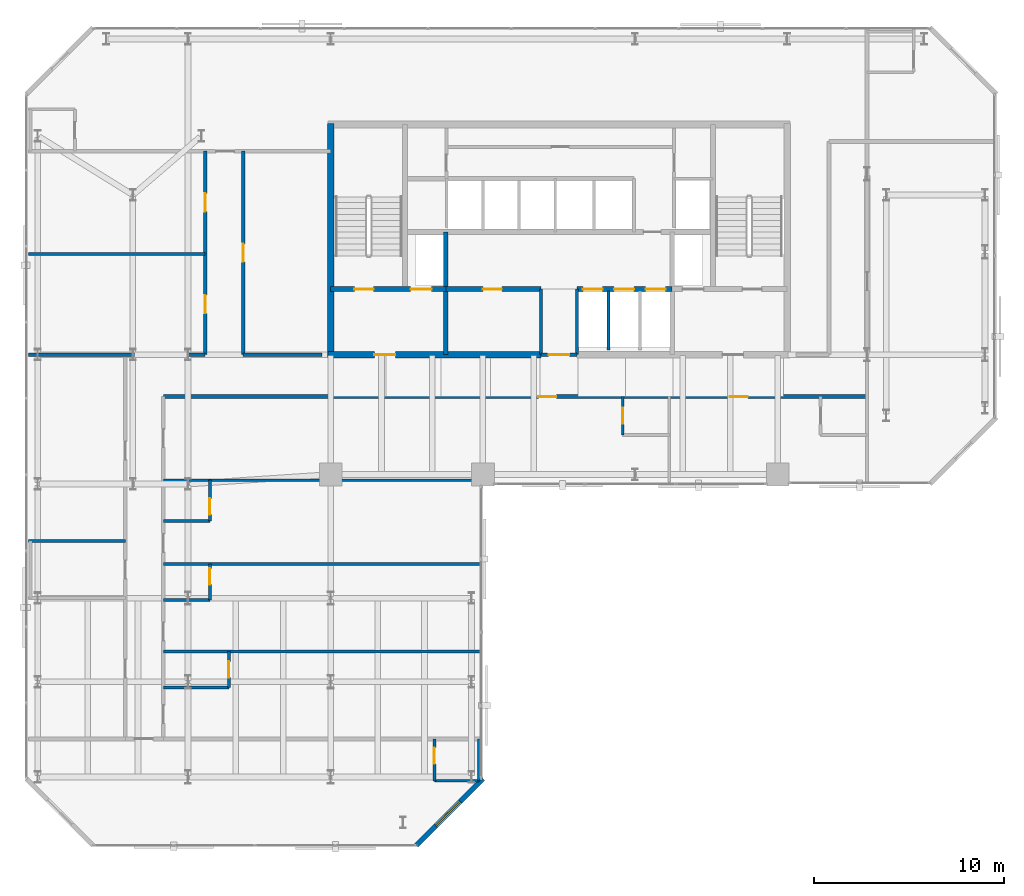
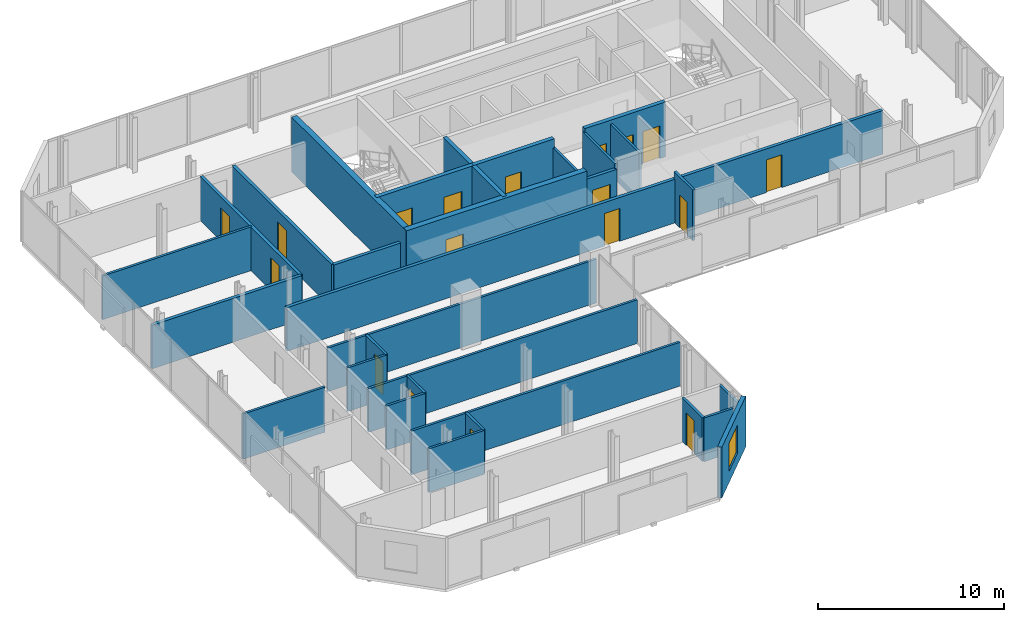
# One storey, part 28 of 32: 31 walls, 18 doors, 1 window, 19 openings.
"""IFC4 building model written with IfcOpenShell, lengths in metres."""

from ifc_helpers import new_model, si_unit, direction, frame, frame_2d, origin, place, context, subcontext, project, spatial, rectangle, extrude, material, layer, layer_set, type_object, element, fill, save


model = new_model("IFC4")

# Units and contexts
model_context = context("Model", 3, precision=1e-05, world=origin(), true_north=direction((0.0, 1.0)))
body_context = subcontext(model_context, "Body", "Model", "MODEL_VIEW")
ifc_project = project(units=[si_unit("LENGTHUNIT", "METRE"), si_unit("AREAUNIT", "SQUARE_METRE"), si_unit("VOLUMEUNIT", "CUBIC_METRE"), si_unit("PLANEANGLEUNIT", "RADIAN"), si_unit("MASSUNIT", "GRAM", prefix="KILO")], contexts=[model_context])

# Site, building, storey
site_placement = place(None, origin())
site = spatial("IfcSite", under=ifc_project, at=site_placement, CompositionType="ELEMENT")
building_placement = place(site_placement, origin())
building = spatial("IfcBuilding", under=site, at=building_placement, Name="Catumbela Crestline Tower", CompositionType="ELEMENT")
storey_placement = place(building_placement, frame((0.0, 0.0, 122.4)))
storey = spatial("IfcBuildingStorey", under=building, at=storey_placement, Name="L31", CompositionType="ELEMENT", Elevation=122.4)

# Wall
ifc_material_1 = material(Name="Concrete C50/60", Category="concrete")
ifc_layer_1 = layer(ifc_material_1, 0.25, Name="Concrete C50/60")
ifc_layer_set_1 = layer_set([ifc_layer_1], Name="Concrete C50/60")
wall_type_1 = type_object("IfcWallType", Name="CW-250D", PredefinedType="SHEAR", material=ifc_layer_set_1)
wall_1_placement = place(storey_placement, frame((22.05, 30.8, 0.0), z_axis=(0.0, 0.0, 1.0), x_axis=(0.0, 1.0, 0.0)))
element("IfcWall", 1, at=wall_1_placement, inside=storey, type_object=wall_type_1, Name="L31 Structural Core Shear Wall FFW", PredefinedType="SHEAR", context=body_context, shape_type="SweptSolid", body=[
    extrude(rectangle(XDim=6.45, YDim=0.25, at=frame_2d((3.225, 0.0))), origin(), (0.0, 0.0, 1.0), 3.6),
])

# Wall, openings, doors
wall_2_placement = place(storey_placement, frame((16.0, 34.25, 0.0), z_axis=(0.0, 0.0, 1.0), x_axis=(1.0, 0.0, 0.0)))
wall_2 = element("IfcWall", 2, at=wall_2_placement, inside=storey, type_object=wall_type_1, Name="L31 Structural Core Shear Wall ST1S", PredefinedType="SHEAR", context=body_context, shape_type="SweptSolid", body=[
    extrude(rectangle(XDim=6.05, YDim=0.25, at=frame_2d((3.025, 0.0))), origin(), (0.0, 0.0, 1.0), 3.6),
])
opening_1_placement = place(wall_2_placement, frame((1.25, 0.0, 0.0)))
opening_1 = element("IfcOpeningElement", 3, at=opening_1_placement, cuts=wall_2, Name="Opening DF9-100", PredefinedType="OPENING", context=body_context, shape_type="SweptSolid", body=[
    extrude(rectangle(XDim=1.0, YDim=2.15, at=frame_2d((0.5, 1.075))), frame((0.0, 0.135, 0.0), z_axis=(0.0, -1.0, 0.0), x_axis=(1.0, 0.0, 0.0)), (0.0, 0.0, 1.0), 0.27),
])
opening_2_placement = place(wall_2_placement, frame((4.2, 0.0, 0.0)))
opening_2 = element("IfcOpeningElement", 4, at=opening_2_placement, cuts=wall_2, Name="Opening LD-110", PredefinedType="OPENING", context=body_context, shape_type="SweptSolid", body=[
    extrude(rectangle(XDim=1.1, YDim=2.15, at=frame_2d((0.55, 1.075))), frame((0.0, 0.135, 0.0), z_axis=(0.0, -1.0, 0.0), x_axis=(1.0, 0.0, 0.0)), (0.0, 0.0, 1.0), 0.27),
])
ifc_material_2 = material(Name="Stainless steel EN 1.4401", Category="steel")
door_type_1 = type_object("IfcDoorType", Name="DF9-100", OperationType="NOTDEFINED", PredefinedType="DOOR", material=ifc_material_2)
door_1_placement = place(opening_1_placement, origin())
door_1 = element("IfcDoor", 5, at=door_1_placement, inside=storey, type_object=door_type_1, Name="L31 Interior Door DR-L31-ST01", OperationType="SINGLE_SWING_LEFT", OverallHeight=2.15, OverallWidth=1.0, PredefinedType="DOOR", context=body_context, shape_type="SweptSolid", body=[
    extrude(rectangle(XDim=1.0, YDim=2.15, at=frame_2d((0.5, 1.075))), frame((0.0, 0.025, 0.0), z_axis=(0.0, -1.0, 0.0), x_axis=(1.0, 0.0, 0.0)), (0.0, 0.0, 1.0), 0.05),
])
fill(opening_1, door_1)
door_type_2 = type_object("IfcDoorType", Name="LD-110", OperationType="NOTDEFINED", PredefinedType="DOOR", material=ifc_material_2)
door_2_placement = place(opening_2_placement, origin())
door_2 = element("IfcDoor", 6, at=door_2_placement, inside=storey, type_object=door_type_2, Name="L31 Lift Landing Sliding Door FL-01", OperationType="DOUBLE_DOOR_SLIDING", OverallHeight=2.15, OverallWidth=1.1, PredefinedType="DOOR", context=body_context, shape_type="SweptSolid", body=[
    extrude(rectangle(XDim=1.1, YDim=2.15, at=frame_2d((0.55, 1.075))), frame((0.0, 0.025, 0.0), z_axis=(0.0, -1.0, 0.0), x_axis=(1.0, 0.0, 0.0)), (0.0, 0.0, 1.0), 0.05),
])
fill(opening_2, door_2)

# Wall, opening, door
wall_3_placement = place(storey_placement, frame((22.05, 34.25, 0.0), z_axis=(0.0, 0.0, 1.0), x_axis=(1.0, 0.0, 0.0)))
wall_3 = element("IfcWall", 7, at=wall_3_placement, inside=storey, type_object=wall_type_1, Name="L31 Structural Core Shear Wall LIFTS-W", PredefinedType="SHEAR", context=body_context, shape_type="SweptSolid", body=[
    extrude(rectangle(XDim=5.0, YDim=0.25, at=frame_2d((2.5, 0.0))), origin(), (0.0, 0.0, 1.0), 3.6),
])
opening_3_placement = place(wall_3_placement, frame((1.95, 0.0, 0.0)))
opening_3 = element("IfcOpeningElement", 8, at=opening_3_placement, cuts=wall_3, Name="Opening DF9-100", PredefinedType="OPENING", context=body_context, shape_type="SweptSolid", body=[
    extrude(rectangle(XDim=1.0, YDim=2.15, at=frame_2d((0.5, 1.075))), frame((0.0, 0.135, 0.0), z_axis=(0.0, -1.0, 0.0), x_axis=(1.0, 0.0, 0.0)), (0.0, 0.0, 1.0), 0.27),
])
door_3_placement = place(opening_3_placement, origin())
door_3 = element("IfcDoor", 9, at=door_3_placement, inside=storey, type_object=door_type_1, Name="L31 Interior Door DR-L31-RECL1", OperationType="SINGLE_SWING_LEFT", OverallHeight=2.15, OverallWidth=1.0, PredefinedType="DOOR", context=body_context, shape_type="SweptSolid", body=[
    extrude(rectangle(XDim=1.0, YDim=2.15, at=frame_2d((0.5, 1.075))), frame((0.0, 0.025, 0.0), z_axis=(0.0, -1.0, 0.0), x_axis=(1.0, 0.0, 0.0)), (0.0, 0.0, 1.0), 0.05),
])
fill(opening_3, door_3)

# Wall, openings, doors
wall_4_placement = place(storey_placement, frame((28.95, 34.25, 0.0), z_axis=(0.0, 0.0, 1.0), x_axis=(1.0, 0.0, 0.0)))
wall_4 = element("IfcWall", 10, at=wall_4_placement, inside=storey, type_object=wall_type_1, Name="L31 Structural Core Shear Wall LIFTS-E", PredefinedType="SHEAR", context=body_context, shape_type="SweptSolid", body=[
    extrude(rectangle(XDim=5.0, YDim=0.25, at=frame_2d((2.5, 0.0))), origin(), (0.0, 0.0, 1.0), 3.6),
])
opening_4_placement = place(wall_4_placement, frame((0.3, 0.0, 0.0)))
opening_4 = element("IfcOpeningElement", 11, at=opening_4_placement, cuts=wall_4, Name="Opening LD-105", PredefinedType="OPENING", context=body_context, shape_type="SweptSolid", body=[
    extrude(rectangle(XDim=1.05, YDim=2.15, at=frame_2d((0.525, 1.075))), frame((0.0, 0.135, 0.0), z_axis=(0.0, -1.0, 0.0), x_axis=(1.0, 0.0, 0.0)), (0.0, 0.0, 1.0), 0.27),
])
opening_5_placement = place(wall_4_placement, frame((1.95, 0.0, 0.0)))
opening_5 = element("IfcOpeningElement", 12, at=opening_5_placement, cuts=wall_4, Name="Opening LD-105", PredefinedType="OPENING", context=body_context, shape_type="SweptSolid", body=[
    extrude(rectangle(XDim=1.05, YDim=2.15, at=frame_2d((0.525, 1.075))), frame((0.0, 0.135, 0.0), z_axis=(0.0, -1.0, 0.0), x_axis=(1.0, 0.0, 0.0)), (0.0, 0.0, 1.0), 0.27),
])
opening_6_placement = place(wall_4_placement, frame((3.6, 0.0, 0.0)))
opening_6 = element("IfcOpeningElement", 13, at=opening_6_placement, cuts=wall_4, Name="Opening LD-105", PredefinedType="OPENING", context=body_context, shape_type="SweptSolid", body=[
    extrude(rectangle(XDim=1.05, YDim=2.15, at=frame_2d((0.525, 1.075))), frame((0.0, 0.135, 0.0), z_axis=(0.0, -1.0, 0.0), x_axis=(1.0, 0.0, 0.0)), (0.0, 0.0, 1.0), 0.27),
])
door_type_3 = type_object("IfcDoorType", Name="LD-105", OperationType="NOTDEFINED", PredefinedType="DOOR", material=ifc_material_2)
door_4_placement = place(opening_4_placement, origin())
door_4 = element("IfcDoor", 14, at=door_4_placement, inside=storey, type_object=door_type_3, Name="L31 Lift Landing Sliding Door PL-M1", OperationType="DOUBLE_DOOR_SLIDING", OverallHeight=2.15, OverallWidth=1.05, PredefinedType="DOOR", context=body_context, shape_type="SweptSolid", body=[
    extrude(rectangle(XDim=1.05, YDim=2.15, at=frame_2d((0.525, 1.075))), frame((0.0, 0.025, 0.0), z_axis=(0.0, -1.0, 0.0), x_axis=(1.0, 0.0, 0.0)), (0.0, 0.0, 1.0), 0.05),
])
fill(opening_4, door_4)
door_5_placement = place(opening_5_placement, origin())
door_5 = element("IfcDoor", 15, at=door_5_placement, inside=storey, type_object=door_type_3, Name="L31 Lift Landing Sliding Door PL-M2", OperationType="DOUBLE_DOOR_SLIDING", OverallHeight=2.15, OverallWidth=1.05, PredefinedType="DOOR", context=body_context, shape_type="SweptSolid", body=[
    extrude(rectangle(XDim=1.05, YDim=2.15, at=frame_2d((0.525, 1.075))), frame((0.0, 0.025, 0.0), z_axis=(0.0, -1.0, 0.0), x_axis=(1.0, 0.0, 0.0)), (0.0, 0.0, 1.0), 0.05),
])
fill(opening_5, door_5)
door_6_placement = place(opening_6_placement, origin())
door_6 = element("IfcDoor", 16, at=door_6_placement, inside=storey, type_object=door_type_3, Name="L31 Lift Landing Sliding Door PL-M3", OperationType="DOUBLE_DOOR_SLIDING", OverallHeight=2.15, OverallWidth=1.05, PredefinedType="DOOR", context=body_context, shape_type="SweptSolid", body=[
    extrude(rectangle(XDim=1.05, YDim=2.15, at=frame_2d((0.525, 1.075))), frame((0.0, 0.025, 0.0), z_axis=(0.0, -1.0, 0.0), x_axis=(1.0, 0.0, 0.0)), (0.0, 0.0, 1.0), 0.05),
])
fill(opening_6, door_6)

# Wall
ifc_layer_2 = layer(ifc_material_1, 0.35, Name="Concrete C50/60")
ifc_layer_set_2 = layer_set([ifc_layer_2], Name="Concrete C50/60")
wall_type_2 = type_object("IfcWallType", Name="CW-350B", PredefinedType="SHEAR", material=ifc_layer_set_2)
wall_5_placement = place(storey_placement, frame((16.0, 30.65, 0.0), z_axis=(0.0, 0.0, 1.0), x_axis=(0.0, 1.0, 0.0)))
element("IfcWall", 17, at=wall_5_placement, inside=storey, type_object=wall_type_2, Name="L31 Structural Core Shear Wall W", PredefinedType="SHEAR", context=body_context, shape_type="SweptSolid", body=[
    extrude(rectangle(XDim=12.3, YDim=0.35, at=frame_2d((6.15, 0.0))), origin(), (0.0, 0.0, 1.0), 3.6),
])

# Wall, opening, door
wall_6_placement = place(storey_placement, frame((15.85, 30.8, 0.0), z_axis=(0.0, 0.0, 1.0), x_axis=(1.0, 0.0, 0.0)))
wall_6 = element("IfcWall", 18, at=wall_6_placement, inside=storey, type_object=wall_type_2, Name="L31 Structural Core Shear Wall SW", PredefinedType="SHEAR", context=body_context, shape_type="SweptSolid", body=[
    extrude(rectangle(XDim=11.2, YDim=0.35, at=frame_2d((5.6, 0.0))), origin(), (0.0, 0.0, 1.0), 3.6),
])
opening_7_placement = place(wall_6_placement, frame((2.45, 0.0, 0.0)))
opening_7 = element("IfcOpeningElement", 19, at=opening_7_placement, cuts=wall_6, Name="Opening DF9-110", PredefinedType="OPENING", context=body_context, shape_type="SweptSolid", body=[
    extrude(rectangle(XDim=1.1, YDim=2.15, at=frame_2d((0.55, 1.075))), frame((0.0, 0.185, 0.0), z_axis=(0.0, -1.0, 0.0), x_axis=(1.0, 0.0, 0.0)), (0.0, 0.0, 1.0), 0.37),
])
door_type_4 = type_object("IfcDoorType", Name="DF9-110", OperationType="NOTDEFINED", PredefinedType="DOOR", material=ifc_material_2)
door_7_placement = place(opening_7_placement, origin())
door_7 = element("IfcDoor", 20, at=door_7_placement, inside=storey, type_object=door_type_4, Name="L31 Interior Door DR-L31-FFW-S", OperationType="SINGLE_SWING_LEFT", OverallHeight=2.15, OverallWidth=1.1, PredefinedType="DOOR", context=body_context, shape_type="SweptSolid", body=[
    extrude(rectangle(XDim=1.1, YDim=2.15, at=frame_2d((0.55, 1.075))), frame((0.0, 0.025, 0.0), z_axis=(0.0, -1.0, 0.0), x_axis=(1.0, 0.0, 0.0)), (0.0, 0.0, 1.0), 0.05),
])
fill(opening_7, door_7)

ifc_material_3 = material(Name="Acoustic gypsum and mineral-wool partition")
ifc_layer_3 = layer(ifc_material_3, 0.2, Name="Acoustic gypsum and mineral-wool partition")
ifc_layer_set_3 = layer_set([ifc_layer_3], Name="Acoustic gypsum and mineral-wool partition")
wall_type_3 = type_object("IfcWallType", Name="WC-200", PredefinedType="PARTITIONING", material=ifc_layer_set_3)
wall_7_placement = place(storey_placement, frame((27.05, 30.8, 0.0), z_axis=(0.0, 0.0, 1.0), x_axis=(1.0, 0.0, 0.0)))
wall_7 = element("IfcWall", 21, at=wall_7_placement, inside=storey, type_object=wall_type_3, Name="L31 Interior Partition PW-L31-CLOBS", PredefinedType="PARTITIONING", context=body_context, shape_type="SweptSolid", body=[
    extrude(rectangle(XDim=1.9, YDim=0.2, at=frame_2d((0.95, 0.0))), origin(), (0.0, 0.0, 1.0), 3.01),
])
opening_8_placement = place(wall_7_placement, frame((0.4, 0.0, 0.0)))
opening_8 = element("IfcOpeningElement", 22, at=opening_8_placement, cuts=wall_7, Name="Opening DF9-110", PredefinedType="OPENING", context=body_context, shape_type="SweptSolid", body=[
    extrude(rectangle(XDim=1.1, YDim=2.15, at=frame_2d((0.55, 1.075))), frame((0.0, 0.11, 0.0), z_axis=(0.0, -1.0, 0.0), x_axis=(1.0, 0.0, 0.0)), (0.0, 0.0, 1.0), 0.22),
])
door_8_placement = place(opening_8_placement, origin())
door_8 = element("IfcDoor", 23, at=door_8_placement, inside=storey, type_object=door_type_4, Name="L31 Interior Door DR-L31-CLOBS", OperationType="SINGLE_SWING_LEFT", OverallHeight=2.15, OverallWidth=1.1, PredefinedType="DOOR", context=body_context, shape_type="SweptSolid", body=[
    extrude(rectangle(XDim=1.1, YDim=2.15, at=frame_2d((0.55, 1.075))), frame((0.0, 0.025, 0.0), z_axis=(0.0, -1.0, 0.0), x_axis=(1.0, 0.0, 0.0)), (0.0, 0.0, 1.0), 0.05),
])
fill(opening_8, door_8)

# Wall
wall_8_placement = place(storey_placement, frame((0.1, 30.8, 0.0), z_axis=(0.0, 0.0, 1.0), x_axis=(1.0, 0.0, 0.0)))
element("IfcWall", 24, at=wall_8_placement, inside=storey, type_object=wall_type_3, Name="L31 Interior Partition PW-L31-Z2CW-N0", PredefinedType="PARTITIONING", context=body_context, shape_type="SweptSolid", body=[
    extrude(rectangle(XDim=9.3, YDim=0.2, at=frame_2d((4.65, 0.0))), origin(), (0.0, 0.0, 1.0), 2.87),
])

# Wall, openings, doors
wall_9_placement = place(storey_placement, frame((7.2, 28.6, 0.0), z_axis=(0.0, 0.0, 1.0), x_axis=(1.0, 0.0, 0.0)))
wall_9 = element("IfcWall", 25, at=wall_9_placement, inside=storey, type_object=wall_type_3, Name="L31 Interior Partition PW-L31-Z2CW-N2", PredefinedType="PARTITIONING", context=body_context, shape_type="SweptSolid", body=[
    extrude(rectangle(XDim=37.0, YDim=0.2, at=frame_2d((18.5, 0.0))), origin(), (0.0, 0.0, 1.0), 2.87),
])
opening_9_placement = place(wall_9_placement, frame((19.71, 0.0, 0.0)))
opening_9 = element("IfcOpeningElement", 26, at=opening_9_placement, cuts=wall_9, Name="Opening DF6-095", PredefinedType="OPENING", context=body_context, shape_type="SweptSolid", body=[
    extrude(rectangle(XDim=0.95, YDim=2.15, at=frame_2d((0.475, 1.075))), frame((0.0, 0.11, 0.0), z_axis=(0.0, -1.0, 0.0), x_axis=(1.0, 0.0, 0.0)), (0.0, 0.0, 1.0), 0.22),
])
opening_10_placement = place(wall_9_placement, frame((29.78, 0.0, 0.0)))
opening_10 = element("IfcOpeningElement", 27, at=opening_10_placement, cuts=wall_9, Name="Opening DF6-095", PredefinedType="OPENING", context=body_context, shape_type="SweptSolid", body=[
    extrude(rectangle(XDim=0.95, YDim=2.15, at=frame_2d((0.475, 1.075))), frame((0.0, 0.11, 0.0), z_axis=(0.0, -1.0, 0.0), x_axis=(1.0, 0.0, 0.0)), (0.0, 0.0, 1.0), 0.22),
])
ifc_material_4 = material(Name="Aluminium alloy AW-6060-T66", Category="aluminium")
door_type_5 = type_object("IfcDoorType", Name="DF6-095", OperationType="NOTDEFINED", PredefinedType="DOOR", material=ifc_material_4)
door_9_placement = place(opening_9_placement, origin())
door_9 = element("IfcDoor", 28, at=door_9_placement, inside=storey, type_object=door_type_5, Name="L31 Interior Door DR-L31-SS1-ENT", OperationType="SINGLE_SWING_RIGHT", OverallHeight=2.15, OverallWidth=0.95, PredefinedType="DOOR", context=body_context, shape_type="SweptSolid", body=[
    extrude(rectangle(XDim=0.95, YDim=2.15, at=frame_2d((0.475, 1.075))), frame((0.0, 0.025, 0.0), z_axis=(0.0, -1.0, 0.0), x_axis=(1.0, 0.0, 0.0)), (0.0, 0.0, 1.0), 0.05),
])
fill(opening_9, door_9)
door_10_placement = place(opening_10_placement, origin())
door_10 = element("IfcDoor", 29, at=door_10_placement, inside=storey, type_object=door_type_5, Name="L31 Interior Door DR-L31-SS2-ENT", OperationType="SINGLE_SWING_LEFT", OverallHeight=2.15, OverallWidth=0.95, PredefinedType="DOOR", context=body_context, shape_type="SweptSolid", body=[
    extrude(rectangle(XDim=0.95, YDim=2.15, at=frame_2d((0.475, 1.075))), frame((0.0, 0.025, 0.0), z_axis=(0.0, -1.0, 0.0), x_axis=(1.0, 0.0, 0.0)), (0.0, 0.0, 1.0), 0.05),
])
fill(opening_10, door_10)

# Wall
wall_10_placement = place(storey_placement, frame((11.4, 30.8, 0.0), z_axis=(0.0, 0.0, 1.0), x_axis=(1.0, 0.0, 0.0)))
element("IfcWall", 30, at=wall_10_placement, inside=storey, type_object=wall_type_3, Name="L31 Interior Partition PW-L31-Z2CW-N3", PredefinedType="PARTITIONING", context=body_context, shape_type="SweptSolid", body=[
    extrude(rectangle(XDim=4.13, YDim=0.2, at=frame_2d((2.065, 0.0))), origin(), (0.0, 0.0, 1.0), 2.87),
])

# Wall, openings, doors
wall_11_placement = place(storey_placement, frame((9.4, 30.8, 0.0), z_axis=(0.0, 0.0, 1.0), x_axis=(0.0, 1.0, 0.0)))
wall_11 = element("IfcWall", 31, at=wall_11_placement, inside=storey, type_object=wall_type_3, Name="L31 Interior Partition PW-L31-Z2TR1-ENT", PredefinedType="PARTITIONING", context=body_context, shape_type="SweptSolid", body=[
    extrude(rectangle(XDim=10.7, YDim=0.2, at=frame_2d((5.35, 0.0))), origin(), (0.0, 0.0, 1.0), 2.87),
])
opening_11_placement = place(wall_11_placement, frame((2.175, 0.0, 0.0)))
opening_11 = element("IfcOpeningElement", 32, at=opening_11_placement, cuts=wall_11, Name="Opening DF6-095", PredefinedType="OPENING", context=body_context, shape_type="SweptSolid", body=[
    extrude(rectangle(XDim=0.95, YDim=2.15, at=frame_2d((0.475, 1.075))), frame((0.0, 0.11, 0.0), z_axis=(0.0, -1.0, 0.0), x_axis=(1.0, 0.0, 0.0)), (0.0, 0.0, 1.0), 0.22),
])
opening_12_placement = place(wall_11_placement, frame((7.525, 0.0, 0.0)))
opening_12 = element("IfcOpeningElement", 33, at=opening_12_placement, cuts=wall_11, Name="Opening DF6-095", PredefinedType="OPENING", context=body_context, shape_type="SweptSolid", body=[
    extrude(rectangle(XDim=0.95, YDim=2.15, at=frame_2d((0.475, 1.075))), frame((0.0, 0.11, 0.0), z_axis=(0.0, -1.0, 0.0), x_axis=(1.0, 0.0, 0.0)), (0.0, 0.0, 1.0), 0.22),
])
door_11_placement = place(opening_11_placement, origin())
door_11 = element("IfcDoor", 34, at=door_11_placement, inside=storey, type_object=door_type_5, Name="L31 Interior Door DR-L31-Z2TR1-ENT", OperationType="SINGLE_SWING_RIGHT", OverallHeight=2.15, OverallWidth=0.95, PredefinedType="DOOR", context=body_context, shape_type="SweptSolid", body=[
    extrude(rectangle(XDim=0.95, YDim=2.15, at=frame_2d((0.475, 1.075))), frame((0.0, 0.025, 0.0), z_axis=(0.0, -1.0, 0.0), x_axis=(1.0, 0.0, 0.0)), (0.0, 0.0, 1.0), 0.05),
])
fill(opening_11, door_11)
door_12_placement = place(opening_12_placement, origin())
door_12 = element("IfcDoor", 35, at=door_12_placement, inside=storey, type_object=door_type_5, Name="L31 Interior Door DR-L31-Z2TR2-ENT", OperationType="SINGLE_SWING_LEFT", OverallHeight=2.15, OverallWidth=0.95, PredefinedType="DOOR", context=body_context, shape_type="SweptSolid", body=[
    extrude(rectangle(XDim=0.95, YDim=2.15, at=frame_2d((0.475, 1.075))), frame((0.0, 0.025, 0.0), z_axis=(0.0, -1.0, 0.0), x_axis=(1.0, 0.0, 0.0)), (0.0, 0.0, 1.0), 0.05),
])
fill(opening_12, door_12)

# Wall, opening, door
wall_12_placement = place(storey_placement, frame((11.4, 30.8, 0.0), z_axis=(0.0, 0.0, 1.0), x_axis=(0.0, 1.0, 0.0)))
wall_12 = element("IfcWall", 36, at=wall_12_placement, inside=storey, type_object=wall_type_3, Name="L31 Interior Partition PW-L31-Z2YOG-ENT", PredefinedType="PARTITIONING", context=body_context, shape_type="SweptSolid", body=[
    extrude(rectangle(XDim=10.7, YDim=0.2, at=frame_2d((5.35, 0.0))), origin(), (0.0, 0.0, 1.0), 2.87),
])
opening_13_placement = place(wall_12_placement, frame((4.875, 0.0, 0.0)))
opening_13 = element("IfcOpeningElement", 37, at=opening_13_placement, cuts=wall_12, Name="Opening DF6-095", PredefinedType="OPENING", context=body_context, shape_type="SweptSolid", body=[
    extrude(rectangle(XDim=0.95, YDim=2.15, at=frame_2d((0.475, 1.075))), frame((0.0, 0.11, 0.0), z_axis=(0.0, -1.0, 0.0), x_axis=(1.0, 0.0, 0.0)), (0.0, 0.0, 1.0), 0.22),
])
door_13_placement = place(opening_13_placement, origin())
door_13 = element("IfcDoor", 38, at=door_13_placement, inside=storey, type_object=door_type_5, Name="L31 Interior Door DR-L31-Z2YOG-ENT", OperationType="SINGLE_SWING_RIGHT", OverallHeight=2.15, OverallWidth=0.95, PredefinedType="DOOR", context=body_context, shape_type="SweptSolid", body=[
    extrude(rectangle(XDim=0.95, YDim=2.15, at=frame_2d((0.475, 1.075))), frame((0.0, 0.025, 0.0), z_axis=(0.0, -1.0, 0.0), x_axis=(1.0, 0.0, 0.0)), (0.0, 0.0, 1.0), 0.05),
])
fill(opening_13, door_13)

# Wall, opening, window
ifc_material_5 = material(Name="Angolan grey-ochre granite", Category="masonry")
ifc_layer_4 = layer(ifc_material_5, 0.25, Name="Angolan grey-ochre granite")
ifc_layer_set_4 = layer_set([ifc_layer_4], Name="Angolan grey-ochre granite")
wall_type_4 = type_object("IfcWallType", Name="WE-250", PredefinedType="STANDARD", material=ifc_layer_set_4)
wall_13_placement = place(storey_placement, frame((20.5, 5.0, 0.0), z_axis=(0.0, 0.0, 1.0), x_axis=(0.707106781187, 0.707106781187, 0.0)))
wall_13 = element("IfcWall", 39, at=wall_13_placement, inside=storey, type_object=wall_type_4, Name="L31 Granite Punched Window Wall 1-1", PredefinedType="STANDARD", context=body_context, shape_type="SweptSolid", body=[
    extrude(rectangle(XDim=4.9497, YDim=0.25, at=frame_2d((2.4748, 0.0))), origin(), (0.0, 0.0, 1.0), 3.33),
])
opening_14_placement = place(wall_13_placement, frame((1.4647, 0.0, 0.75)))
opening_14 = element("IfcOpeningElement", 40, at=opening_14_placement, cuts=wall_13, Name="Opening WN-01", PredefinedType="OPENING", context=body_context, shape_type="SweptSolid", body=[
    extrude(rectangle(XDim=1.8, YDim=1.85, at=frame_2d((0.9, 0.925))), frame((0.0, 0.135, 0.0), z_axis=(0.0, -1.0, 0.0), x_axis=(1.0, 0.0, 0.0)), (0.0, 0.0, 1.0), 0.27),
])
ifc_material_6 = material(Name="Low-E laminated solar-control double glazing", Category="glass")
window_type = type_object("IfcWindowType", Name="WF-1800", PartitioningType="SINGLE_PANEL", PredefinedType="WINDOW", material=ifc_material_6)
window_placement = place(opening_14_placement, origin())
window = element("IfcWindow", 41, at=window_placement, inside=storey, type_object=window_type, Name="L31 Facade Vision Window 175", OverallHeight=1.85, OverallWidth=1.8, PartitioningType="SINGLE_PANEL", PredefinedType="WINDOW", context=body_context, shape_type="SweptSolid", body=[
    extrude(rectangle(XDim=1.8, YDim=1.85, at=frame_2d((0.9, 0.925))), frame((0.0, 0.03, 0.0), z_axis=(0.0, -1.0, 0.0), x_axis=(1.0, 0.0, 0.0)), (0.0, 0.0, 1.0), 0.06),
])
fill(opening_14, window)

# Walls
ifc_layer_5 = layer(ifc_material_3, 0.15, Name="Acoustic gypsum and mineral-wool partition")
ifc_layer_set_5 = layer_set([ifc_layer_5], Name="Acoustic gypsum and mineral-wool partition")
wall_type_5 = type_object("IfcWallType", Name="WP-150", PredefinedType="PARTITIONING", material=ifc_layer_set_5)
wall_14_placement = place(storey_placement, frame((0.1, 21.0, 0.0), z_axis=(0.0, 0.0, 1.0), x_axis=(1.0, 0.0, 0.0)))
element("IfcWall", 42, at=wall_14_placement, inside=storey, type_object=wall_type_5, Name="L31 Interior Partition PW-L31-Z2W-2", PredefinedType="PARTITIONING", context=body_context, shape_type="SweptSolid", body=[
    extrude(rectangle(XDim=5.1, YDim=0.15, at=frame_2d((2.55, 0.0))), origin(), (0.0, 0.0, 1.0), 2.96),
])
wall_15_placement = place(storey_placement, frame((0.1, 36.1, 0.0), z_axis=(0.0, 0.0, 1.0), x_axis=(1.0, 0.0, 0.0)))
element("IfcWall", 43, at=wall_15_placement, inside=storey, type_object=wall_type_5, Name="L31 Interior Partition PW-L31-Z2G3-1", PredefinedType="PARTITIONING", context=body_context, shape_type="SweptSolid", body=[
    extrude(rectangle(XDim=9.3, YDim=0.15, at=frame_2d((4.65, 0.0))), origin(), (0.0, 0.0, 1.0), 2.87),
])
wall_16_placement = place(storey_placement, frame((21.45, 8.4, 0.0), z_axis=(0.0, 0.0, 1.0), x_axis=(1.0, 0.0, 0.0)))
element("IfcWall", 44, at=wall_16_placement, inside=storey, type_object=wall_type_5, Name="L31 Interior Partition PW-L31-STIP-BHW", PredefinedType="PARTITIONING", context=body_context, shape_type="SweptSolid", body=[
    extrude(rectangle(XDim=2.35, YDim=0.15, at=frame_2d((1.175, 0.0))), origin(), (0.0, 0.0, 1.0), 2.87),
])

# Wall, opening, door
wall_17_placement = place(storey_placement, frame((21.45, 8.4, 0.0), z_axis=(0.0, 0.0, 1.0), x_axis=(0.0, 1.0, 0.0)))
wall_17 = element("IfcWall", 45, at=wall_17_placement, inside=storey, type_object=wall_type_5, Name="L31 Interior Partition PW-L31-STIP-BWW", PredefinedType="PARTITIONING", context=body_context, shape_type="SweptSolid", body=[
    extrude(rectangle(XDim=2.2, YDim=0.15, at=frame_2d((1.1, 0.0))), origin(), (0.0, 0.0, 1.0), 2.87),
])
opening_15_placement = place(wall_17_placement, frame((0.8925, 0.0, 0.0)))
opening_15 = element("IfcOpeningElement", 46, at=opening_15_placement, cuts=wall_17, Name="Opening DI-085", PredefinedType="OPENING", context=body_context, shape_type="SweptSolid", body=[
    extrude(rectangle(XDim=0.85, YDim=2.15, at=frame_2d((0.425, 1.075))), frame((0.0, 0.085, 0.0), z_axis=(0.0, -1.0, 0.0), x_axis=(1.0, 0.0, 0.0)), (0.0, 0.0, 1.0), 0.17),
])
door_type_6 = type_object("IfcDoorType", Name="DI-085", OperationType="NOTDEFINED", PredefinedType="DOOR", material=ifc_material_4)
door_14_placement = place(opening_15_placement, origin())
door_14 = element("IfcDoor", 47, at=door_14_placement, inside=storey, type_object=door_type_6, Name="L31 Interior Door DR-L31-STIP-BTH", OperationType="SINGLE_SWING_RIGHT", OverallHeight=2.15, OverallWidth=0.85, PredefinedType="DOOR", context=body_context, shape_type="SweptSolid", body=[
    extrude(rectangle(XDim=0.85, YDim=2.15, at=frame_2d((0.425, 1.075))), frame((0.0, 0.025, 0.0), z_axis=(0.0, -1.0, 0.0), x_axis=(1.0, 0.0, 0.0)), (0.0, 0.0, 1.0), 0.05),
])
fill(opening_15, door_14)

# Walls
wall_18_placement = place(storey_placement, frame((23.78, 10.6, 0.0), z_axis=(0.0, 0.0, 1.0), x_axis=(0.0, -1.0, 0.0)))
element("IfcWall", 48, at=wall_18_placement, inside=storey, type_object=wall_type_5, Name="L31 Interior Partition PW-L31-STIP-BCL-2", PredefinedType="PARTITIONING", context=body_context, shape_type="SweptSolid", body=[
    extrude(rectangle(XDim=2.22, YDim=0.15, at=frame_2d((1.11, 0.0))), origin(), (0.0, 0.0, 1.0), 2.87),
])
wall_19_placement = place(storey_placement, frame((7.2, 13.3, 0.0), z_axis=(0.0, 0.0, 1.0), x_axis=(1.0, 0.0, 0.0)))
element("IfcWall", 49, at=wall_19_placement, inside=storey, type_object=wall_type_5, Name="L31 Interior Partition PW-L31-SW1-BSW", PredefinedType="PARTITIONING", context=body_context, shape_type="SweptSolid", body=[
    extrude(rectangle(XDim=3.45, YDim=0.15, at=frame_2d((1.725, 0.0))), origin(), (0.0, 0.0, 1.0), 2.87),
])

# Wall, opening, door
wall_20_placement = place(storey_placement, frame((10.65, 13.3, 0.0), z_axis=(0.0, 0.0, 1.0), x_axis=(0.0, 1.0, 0.0)))
wall_20 = element("IfcWall", 50, at=wall_20_placement, inside=storey, type_object=wall_type_5, Name="L31 Interior Partition PW-L31-SW1-BEW", PredefinedType="PARTITIONING", context=body_context, shape_type="SweptSolid", body=[
    extrude(rectangle(XDim=1.9, YDim=0.15, at=frame_2d((0.95, 0.0))), origin(), (0.0, 0.0, 1.0), 2.87),
])
opening_16_placement = place(wall_20_placement, frame((0.525, 0.0, 0.0)))
opening_16 = element("IfcOpeningElement", 51, at=opening_16_placement, cuts=wall_20, Name="Opening DI-085", PredefinedType="OPENING", context=body_context, shape_type="SweptSolid", body=[
    extrude(rectangle(XDim=0.85, YDim=2.15, at=frame_2d((0.425, 1.075))), frame((0.0, 0.085, 0.0), z_axis=(0.0, -1.0, 0.0), x_axis=(1.0, 0.0, 0.0)), (0.0, 0.0, 1.0), 0.17),
])
door_15_placement = place(opening_16_placement, origin())
door_15 = element("IfcDoor", 52, at=door_15_placement, inside=storey, type_object=door_type_6, Name="L31 Interior Door DR-L31-SW1-BTH", OperationType="SINGLE_SWING_LEFT", OverallHeight=2.15, OverallWidth=0.85, PredefinedType="DOOR", context=body_context, shape_type="SweptSolid", body=[
    extrude(rectangle(XDim=0.85, YDim=2.15, at=frame_2d((0.425, 1.075))), frame((0.0, 0.025, 0.0), z_axis=(0.0, -1.0, 0.0), x_axis=(1.0, 0.0, 0.0)), (0.0, 0.0, 1.0), 0.05),
])
fill(opening_16, door_15)

# Walls
wall_21_placement = place(storey_placement, frame((7.2, 15.2, 0.0), z_axis=(0.0, 0.0, 1.0), x_axis=(1.0, 0.0, 0.0)))
element("IfcWall", 53, at=wall_21_placement, inside=storey, type_object=wall_type_5, Name="L31 Interior Partition PW-L31-SW1-BCL-1", PredefinedType="PARTITIONING", context=body_context, shape_type="SweptSolid", body=[
    extrude(rectangle(XDim=16.7, YDim=0.15, at=frame_2d((8.35, 0.0))), origin(), (0.0, 0.0, 1.0), 2.87),
])
wall_22_placement = place(storey_placement, frame((7.2, 17.9, 0.0), z_axis=(0.0, 0.0, 1.0), x_axis=(1.0, 0.0, 0.0)))
element("IfcWall", 54, at=wall_22_placement, inside=storey, type_object=wall_type_5, Name="L31 Interior Partition PW-L31-SW2-BSW", PredefinedType="PARTITIONING", context=body_context, shape_type="SweptSolid", body=[
    extrude(rectangle(XDim=2.45, YDim=0.15, at=frame_2d((1.225, 0.0))), origin(), (0.0, 0.0, 1.0), 2.87),
])

# Wall, opening, door
wall_23_placement = place(storey_placement, frame((9.65, 17.9, 0.0), z_axis=(0.0, 0.0, 1.0), x_axis=(0.0, 1.0, 0.0)))
wall_23 = element("IfcWall", 55, at=wall_23_placement, inside=storey, type_object=wall_type_5, Name="L31 Interior Partition PW-L31-SW2-BEW", PredefinedType="PARTITIONING", context=body_context, shape_type="SweptSolid", body=[
    extrude(rectangle(XDim=1.9, YDim=0.15, at=frame_2d((0.95, 0.0))), origin(), (0.0, 0.0, 1.0), 2.87),
])
opening_17_placement = place(wall_23_placement, frame((0.81, 0.0, 0.0)))
opening_17 = element("IfcOpeningElement", 56, at=opening_17_placement, cuts=wall_23, Name="Opening DI-085", PredefinedType="OPENING", context=body_context, shape_type="SweptSolid", body=[
    extrude(rectangle(XDim=0.85, YDim=2.15, at=frame_2d((0.425, 1.075))), frame((0.0, 0.085, 0.0), z_axis=(0.0, -1.0, 0.0), x_axis=(1.0, 0.0, 0.0)), (0.0, 0.0, 1.0), 0.17),
])
door_16_placement = place(opening_17_placement, origin())
door_16 = element("IfcDoor", 57, at=door_16_placement, inside=storey, type_object=door_type_6, Name="L31 Interior Door DR-L31-SW2-BTH", OperationType="SINGLE_SWING_RIGHT", OverallHeight=2.15, OverallWidth=0.85, PredefinedType="DOOR", context=body_context, shape_type="SweptSolid", body=[
    extrude(rectangle(XDim=0.85, YDim=2.15, at=frame_2d((0.425, 1.075))), frame((0.0, 0.025, 0.0), z_axis=(0.0, -1.0, 0.0), x_axis=(1.0, 0.0, 0.0)), (0.0, 0.0, 1.0), 0.05),
])
fill(opening_17, door_16)

# Walls
wall_24_placement = place(storey_placement, frame((7.2, 19.8, 0.0), z_axis=(0.0, 0.0, 1.0), x_axis=(1.0, 0.0, 0.0)))
element("IfcWall", 58, at=wall_24_placement, inside=storey, type_object=wall_type_5, Name="L31 Interior Partition PW-L31-SW2-BCL-1", PredefinedType="PARTITIONING", context=body_context, shape_type="SweptSolid", body=[
    extrude(rectangle(XDim=16.7, YDim=0.15, at=frame_2d((8.35, 0.0))), origin(), (0.0, 0.0, 1.0), 2.87),
])
wall_25_placement = place(storey_placement, frame((7.2, 22.05, 0.0), z_axis=(0.0, 0.0, 1.0), x_axis=(1.0, 0.0, 0.0)))
element("IfcWall", 59, at=wall_25_placement, inside=storey, type_object=wall_type_5, Name="L31 Interior Partition PW-L31-SW3-BSW", PredefinedType="PARTITIONING", context=body_context, shape_type="SweptSolid", body=[
    extrude(rectangle(XDim=2.45, YDim=0.15, at=frame_2d((1.225, 0.0))), origin(), (0.0, 0.0, 1.0), 2.87),
])

# Wall, opening, door
wall_26_placement = place(storey_placement, frame((9.65, 22.05, 0.0), z_axis=(0.0, 0.0, 1.0), x_axis=(0.0, 1.0, 0.0)))
wall_26 = element("IfcWall", 60, at=wall_26_placement, inside=storey, type_object=wall_type_5, Name="L31 Interior Partition PW-L31-SW3-BEW", PredefinedType="PARTITIONING", context=body_context, shape_type="SweptSolid", body=[
    extrude(rectangle(XDim=2.15, YDim=0.15, at=frame_2d((1.075, 0.0))), origin(), (0.0, 0.0, 1.0), 2.87),
])
opening_18_placement = place(wall_26_placement, frame((0.3425, 0.0, 0.0)))
opening_18 = element("IfcOpeningElement", 61, at=opening_18_placement, cuts=wall_26, Name="Opening DI-085", PredefinedType="OPENING", context=body_context, shape_type="SweptSolid", body=[
    extrude(rectangle(XDim=0.85, YDim=2.15, at=frame_2d((0.425, 1.075))), frame((0.0, 0.085, 0.0), z_axis=(0.0, -1.0, 0.0), x_axis=(1.0, 0.0, 0.0)), (0.0, 0.0, 1.0), 0.17),
])
door_17_placement = place(opening_18_placement, origin())
door_17 = element("IfcDoor", 62, at=door_17_placement, inside=storey, type_object=door_type_6, Name="L31 Interior Door DR-L31-SW3-BTH", OperationType="SINGLE_SWING_LEFT", OverallHeight=2.15, OverallWidth=0.85, PredefinedType="DOOR", context=body_context, shape_type="SweptSolid", body=[
    extrude(rectangle(XDim=0.85, YDim=2.15, at=frame_2d((0.425, 1.075))), frame((0.0, 0.025, 0.0), z_axis=(0.0, -1.0, 0.0), x_axis=(1.0, 0.0, 0.0)), (0.0, 0.0, 1.0), 0.05),
])
fill(opening_18, door_17)

# Wall
wall_27_placement = place(storey_placement, frame((7.2, 24.2, 0.0), z_axis=(0.0, 0.0, 1.0), x_axis=(1.0, 0.0, 0.0)))
element("IfcWall", 63, at=wall_27_placement, inside=storey, type_object=wall_type_5, Name="L31 Interior Partition PW-L31-SW3-BCL-1", PredefinedType="PARTITIONING", context=body_context, shape_type="SweptSolid", body=[
    extrude(rectangle(XDim=16.7, YDim=0.15, at=frame_2d((8.35, 0.0))), origin(), (0.0, 0.0, 1.0), 2.87),
])

# Wall, opening, door
wall_28_placement = place(storey_placement, frame((31.35, 26.576, 0.0), z_axis=(0.0, 0.0, 1.0), x_axis=(0.0, 1.0, 0.0)))
wall_28 = element("IfcWall", 64, at=wall_28_placement, inside=storey, type_object=wall_type_5, Name="L31 Interior Partition PW-L31-SS1-BWW", PredefinedType="PARTITIONING", context=body_context, shape_type="SweptSolid", body=[
    extrude(rectangle(XDim=2.024, YDim=0.15, at=frame_2d((1.012, 0.0))), origin(), (0.0, 0.0, 1.0), 3.33),
])
opening_19_placement = place(wall_28_placement, frame((0.587, 0.0, 0.0)))
opening_19 = element("IfcOpeningElement", 65, at=opening_19_placement, cuts=wall_28, Name="Opening DI-085", PredefinedType="OPENING", context=body_context, shape_type="SweptSolid", body=[
    extrude(rectangle(XDim=0.85, YDim=2.15, at=frame_2d((0.425, 1.075))), frame((0.0, 0.085, 0.0), z_axis=(0.0, -1.0, 0.0), x_axis=(1.0, 0.0, 0.0)), (0.0, 0.0, 1.0), 0.17),
])
door_18_placement = place(opening_19_placement, origin())
door_18 = element("IfcDoor", 66, at=door_18_placement, inside=storey, type_object=door_type_6, Name="L31 Interior Door DR-L31-SS1-BTH", OperationType="SINGLE_SWING_RIGHT", OverallHeight=2.15, OverallWidth=0.85, PredefinedType="DOOR", context=body_context, shape_type="SweptSolid", body=[
    extrude(rectangle(XDim=0.85, YDim=2.15, at=frame_2d((0.425, 1.075))), frame((0.0, 0.025, 0.0), z_axis=(0.0, -1.0, 0.0), x_axis=(1.0, 0.0, 0.0)), (0.0, 0.0, 1.0), 0.05),
])
fill(opening_19, door_18)

# Walls
ifc_layer_6 = layer(ifc_material_3, 0.15, Name="Acoustic gypsum and mineral-wool partition")
ifc_layer_set_6 = layer_set([ifc_layer_6], Name="Acoustic gypsum and mineral-wool partition")
wall_type_6 = type_object("IfcWallType", Name="WS-150", PredefinedType="PLUMBINGWALL", material=ifc_layer_set_6)
wall_29_placement = place(storey_placement, frame((27.05, 30.8, 0.0), z_axis=(0.0, 0.0, 1.0), x_axis=(0.0, 1.0, 0.0)))
element("IfcWall", 67, at=wall_29_placement, inside=storey, type_object=wall_type_6, Name="L31 Interior Partition PW-L31-THRW", PredefinedType="PLUMBINGWALL", context=body_context, shape_type="SweptSolid", body=[
    extrude(rectangle(XDim=3.45, YDim=0.15, at=frame_2d((1.725, 0.0))), origin(), (0.0, 0.0, 1.0), 3.01),
])
wall_30_placement = place(storey_placement, frame((28.95, 30.8, 0.0), z_axis=(0.0, 0.0, 1.0), x_axis=(0.0, 1.0, 0.0)))
element("IfcWall", 68, at=wall_30_placement, inside=storey, type_object=wall_type_6, Name="L31 Interior Partition PW-L31-THRE", PredefinedType="PLUMBINGWALL", context=body_context, shape_type="SweptSolid", body=[
    extrude(rectangle(XDim=3.45, YDim=0.15, at=frame_2d((1.725, 0.0))), origin(), (0.0, 0.0, 1.0), 3.33),
])
wall_31_placement = place(storey_placement, frame((30.6, 31.05, 0.0), z_axis=(0.0, 0.0, 1.0), x_axis=(0.0, 1.0, 0.0)))
element("IfcWall", 69, at=wall_31_placement, inside=storey, type_object=wall_type_6, Name="L31 Interior Partition PW-L31-SHM1", PredefinedType="PLUMBINGWALL", context=body_context, shape_type="SweptSolid", body=[
    extrude(rectangle(XDim=3.1, YDim=0.15, at=frame_2d((1.55, 0.0))), origin(), (0.0, 0.0, 1.0), 3.33),
])

save(model, "model.ifc")
